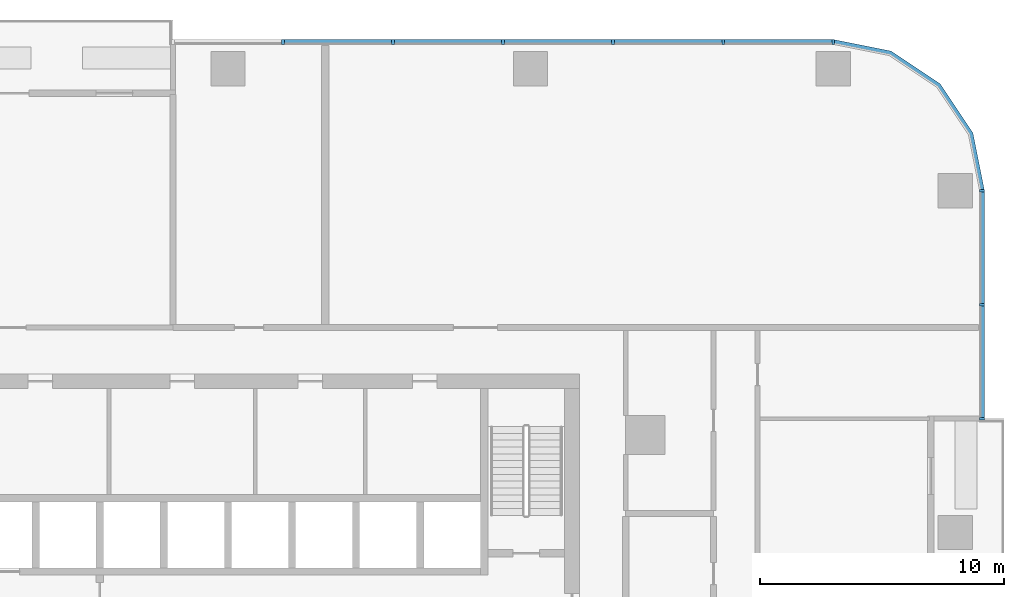
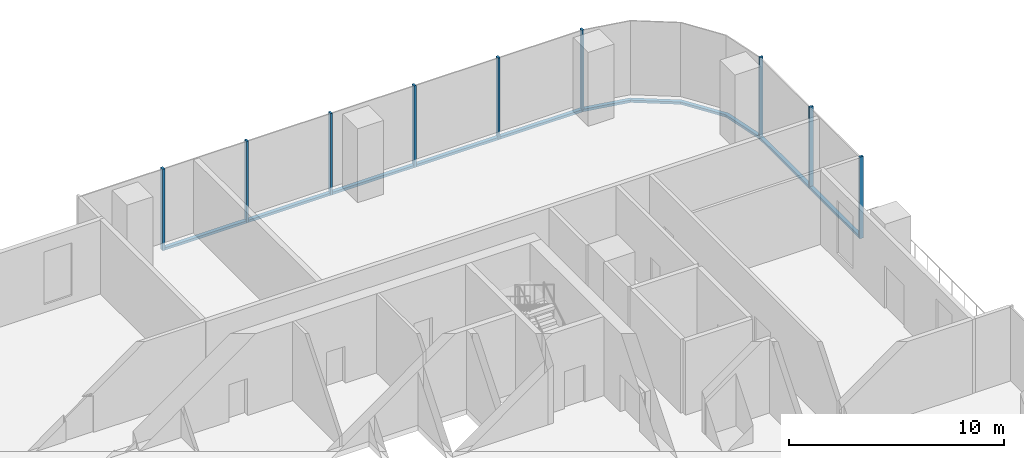
# One storey, part 5 of 15: 17 members, 3 elements without a shape of their own.
"""IFC4 building model written with IfcOpenShell, lengths in metres."""

from ifc_helpers import new_model, si_unit, direction, frame, origin, origin_2d, place, context, subcontext, project, spatial, polyline, rectangle, outline, extrude, material, material_profile, profile_set, type_object, element, aggregate, save


model = new_model("IFC4")

# Units and contexts
model_context = context("Model", 3, precision=1e-05, world=origin(), true_north=direction((0.0, 1.0)))
body_context = subcontext(model_context, "Body", "Model", "MODEL_VIEW")
ifc_project = project(units=[si_unit("LENGTHUNIT", "METRE"), si_unit("AREAUNIT", "SQUARE_METRE"), si_unit("VOLUMEUNIT", "CUBIC_METRE"), si_unit("PLANEANGLEUNIT", "RADIAN"), si_unit("MASSUNIT", "GRAM", prefix="KILO")], contexts=[model_context])

# Site, building, storey
site_placement = place(None, origin())
site = spatial("IfcSite", under=ifc_project, at=site_placement, CompositionType="ELEMENT")
building_placement = place(site_placement, origin())
building = spatial("IfcBuilding", under=site, at=building_placement, Name="Mopane Tessera Tower", CompositionType="ELEMENT")
storey_placement = place(building_placement, frame((0.0, 0.0, 83.800048828125)))
storey = spatial("IfcBuildingStorey", under=building, at=storey_placement, Name="L16", CompositionType="ELEMENT", Elevation=83.800048828125)

# Curtain wall, members
ifc_material_1 = material(Name="Aluminium frame", Category="aluminium")
curtain_wall_type = type_object("IfcCurtainWallType", Name="Lower tower unitised wall", PredefinedType="NOTDEFINED", material=ifc_material_1)
curtain_wall_1_placement = place(storey_placement, origin())
curtain_wall_1 = element("IfcCurtainWall", 1, at=curtain_wall_1_placement, inside=storey, type_object=curtain_wall_type, Name="e:cw:L16:E:7", PredefinedType="NOTDEFINED")
ifc_material_2 = material(Name="Aluminium frame", Category="aluminium")
ifc_material_profile_1 = material_profile(ifc_material_2, rectangle(XDim=0.110107421875, YDim=0.199951171875, at=origin_2d()))
ifc_profile_set_1 = profile_set([ifc_material_profile_1], Name="Aluminium frame")
member_type_1 = type_object("IfcMemberType", Name="Aluminium mullion 110 x 200", PredefinedType="MULLION", material=ifc_profile_set_1)
member_1_placement = place(storey_placement, frame((30.89990234375, 11.666748046875, -0.449951171875), z_axis=(0.0, 0.0, 1.0), x_axis=(0.0, 1.0, 0.0)))
member_1 = element("IfcMember", 2, at=member_1_placement, type_object=member_type_1, Name="e:cw:L16:E:7:mu7", PredefinedType="MULLION", context=body_context, shape_type="SweptSolid", body=[
    extrude(rectangle(XDim=0.110107421875, YDim=0.199951171875, at=origin_2d()), origin(), (0.0, 0.0, 1.0), 4.64990234375),
])
member_2_placement = place(storey_placement, frame((30.89990234375, 16.333251953125, -0.449951171875), z_axis=(0.0, 0.0, 1.0), x_axis=(0.0, 1.0, 0.0)))
member_2 = element("IfcMember", 3, at=member_2_placement, type_object=member_type_1, Name="e:cw:L16:E:7:mu8", PredefinedType="MULLION", context=body_context, shape_type="SweptSolid", body=[
    extrude(rectangle(XDim=0.110107421875, YDim=0.199951171875, at=origin_2d()), origin(), (0.0, 0.0, 1.0), 4.64990234375),
])
member_3_placement = place(storey_placement, frame((30.89990234375, 21.0, -0.449951171875), z_axis=(0.0, 0.0, 1.0), x_axis=(0.0, 1.0, 0.0)))
member_3 = element("IfcMember", 4, at=member_3_placement, type_object=member_type_1, Name="e:cw:L16:E:7:mu9", PredefinedType="MULLION", context=body_context, shape_type="SweptSolid", body=[
    extrude(rectangle(XDim=0.110107421875, YDim=0.199951171875, at=origin_2d()), origin(), (0.0, 0.0, 1.0), 4.64990234375),
])

curtain_wall_2_placement = place(storey_placement, origin())
curtain_wall_2 = element("IfcCurtainWall", 5, at=curtain_wall_2_placement, inside=storey, type_object=curtain_wall_type, Name="e:cw:L16:N:0", PredefinedType="NOTDEFINED")
member_4_placement = place(storey_placement, frame((24.800048828125, 27.10009765625, -0.449951171875), z_axis=(0.0, 0.0, 1.0), x_axis=(-1.0, 0.0, 0.0)))
member_4 = element("IfcMember", 6, at=member_4_placement, type_object=member_type_1, Name="e:cw:L16:N:0:mu0", PredefinedType="MULLION", context=body_context, shape_type="SweptSolid", body=[
    extrude(rectangle(XDim=0.110107421875, YDim=0.199951171875, at=origin_2d()), origin(), (0.0, 0.0, 1.0), 4.64990234375),
])
member_5_placement = place(storey_placement, frame((20.291015625, 27.10009765625, -0.449951171875), z_axis=(0.0, 0.0, 1.0), x_axis=(-1.0, 0.0, 0.0)))
member_5 = element("IfcMember", 7, at=member_5_placement, type_object=member_type_1, Name="e:cw:L16:N:0:mu1", PredefinedType="MULLION", context=body_context, shape_type="SweptSolid", body=[
    extrude(rectangle(XDim=0.110107421875, YDim=0.199951171875, at=origin_2d()), origin(), (0.0, 0.0, 1.0), 4.64990234375),
])
member_6_placement = place(storey_placement, frame((15.78173828125, 27.10009765625, -0.449951171875), z_axis=(0.0, 0.0, 1.0), x_axis=(-1.0, 0.0, 0.0)))
member_6 = element("IfcMember", 8, at=member_6_placement, type_object=member_type_1, Name="e:cw:L16:N:0:mu2", PredefinedType="MULLION", context=body_context, shape_type="SweptSolid", body=[
    extrude(rectangle(XDim=0.110107421875, YDim=0.199951171875, at=origin_2d()), origin(), (0.0, 0.0, 1.0), 4.64990234375),
])
member_7_placement = place(storey_placement, frame((11.272705078125, 27.10009765625, -0.449951171875), z_axis=(0.0, 0.0, 1.0), x_axis=(-1.0, 0.0, 0.0)))
member_7 = element("IfcMember", 9, at=member_7_placement, type_object=member_type_1, Name="e:cw:L16:N:0:mu3", PredefinedType="MULLION", context=body_context, shape_type="SweptSolid", body=[
    extrude(rectangle(XDim=0.110107421875, YDim=0.199951171875, at=origin_2d()), origin(), (0.0, 0.0, 1.0), 4.64990234375),
])
member_8_placement = place(storey_placement, frame((6.763671875, 27.10009765625, -0.449951171875), z_axis=(0.0, 0.0, 1.0), x_axis=(-1.0, 0.0, 0.0)))
member_8 = element("IfcMember", 10, at=member_8_placement, type_object=member_type_1, Name="e:cw:L16:N:0:mu4", PredefinedType="MULLION", context=body_context, shape_type="SweptSolid", body=[
    extrude(rectangle(XDim=0.110107421875, YDim=0.199951171875, at=origin_2d()), origin(), (0.0, 0.0, 1.0), 4.64990234375),
])
member_9_placement = place(storey_placement, frame((2.254638671875, 27.10009765625, -0.449951171875), z_axis=(0.0, 0.0, 1.0), x_axis=(-1.0, 0.0, 0.0)))
member_9 = element("IfcMember", 11, at=member_9_placement, type_object=member_type_1, Name="e:cw:L16:N:0:mu5", PredefinedType="MULLION", context=body_context, shape_type="SweptSolid", body=[
    extrude(rectangle(XDim=0.110107421875, YDim=0.199951171875, at=origin_2d()), origin(), (0.0, 0.0, 1.0), 4.64990234375),
])

# Member
ifc_material_3 = material(Name="Aluminium frame", Category="aluminium")
ifc_material_profile_2 = material_profile(ifc_material_3, rectangle(XDim=0.199951171875, YDim=0.139892578125, at=origin_2d()))
ifc_profile_set_2 = profile_set([ifc_material_profile_2], Name="Aluminium frame")
member_type_2 = type_object("IfcMemberType", Name="Aluminium transom 200 x 140", PredefinedType="USERDEFINED", material=ifc_profile_set_2)
member_10_placement = place(storey_placement, frame((30.89990234375, 11.7216796875, -0.380126953125), z_axis=(0.0, 1.0, 0.0), x_axis=(-1.0, 0.0, 0.0)))
member_10 = element("IfcMember", 12, at=member_10_placement, type_object=member_type_2, Name="e:cw:L16:E:7:tr7", ObjectType="TRANSOM", PredefinedType="USERDEFINED", context=body_context, shape_type="SweptSolid", body=[
    extrude(rectangle(XDim=0.199951171875, YDim=0.139892578125, at=origin_2d()), origin(), (0.0, 0.0, 1.0), 4.556640625),
])

member_11_placement = place(storey_placement, frame((30.89990234375, 16.388427734375, -0.380126953125), z_axis=(0.0, 1.0, 0.0), x_axis=(-1.0, 0.0, 0.0)))
member_11 = element("IfcMember", 13, at=member_11_placement, type_object=member_type_2, Name="e:cw:L16:E:7:tr8", ObjectType="TRANSOM", PredefinedType="USERDEFINED", context=body_context, shape_type="SweptSolid", body=[
    extrude(rectangle(XDim=0.199951171875, YDim=0.139892578125, at=origin_2d()), origin(), (0.0, 0.0, 1.0), 4.556640625),
])

aggregate(curtain_wall_1, [member_1, member_2, member_3, member_10, member_11])

# Curtain wall, member
curtain_wall_3_placement = place(storey_placement, origin())
curtain_wall_3 = element("IfcCurtainWall", 14, at=curtain_wall_3_placement, inside=storey, type_object=curtain_wall_type, Name="e:cw:L16:CE", PredefinedType="NOTDEFINED")
member_12_placement = place(storey_placement, frame((0.0, 0.0, -0.449951171875)))
member_12 = element("IfcMember", 15, at=member_12_placement, type_object=member_type_2, Name="e:cw:L16:CE:tr", ObjectType="TRANSOM", PredefinedType="USERDEFINED", context=body_context, shape_type="SweptSolid", body=[
    extrude(outline(polyline([(30.800048828125, 21.0), (30.34326171875, 23.296142578125), (29.042724609375, 25.24267578125), (27.09619140625, 26.543212890625), (24.800048828125, 27.0), (24.800048828125, 27.199951171875), (27.172607421875, 26.72802734375), (29.18408203125, 25.384033203125), (30.528076171875, 23.37255859375), (31.0, 21.0), (30.800048828125, 21.0)])), origin(), (0.0, 0.0, 1.0), 0.139892578125),
])
aggregate(curtain_wall_3, [member_12])

# Member
member_13_placement = place(storey_placement, frame((24.7451171875, 27.10009765625, -0.380126953125), z_axis=(-1.0, 0.0, 0.0), x_axis=(0.0, -1.0, 0.0)))
member_13 = element("IfcMember", 16, at=member_13_placement, type_object=member_type_2, Name="e:cw:L16:N:0:tr0", ObjectType="TRANSOM", PredefinedType="USERDEFINED", context=body_context, shape_type="SweptSolid", body=[
    extrude(rectangle(XDim=0.199951171875, YDim=0.139892578125, at=origin_2d()), origin(), (0.0, 0.0, 1.0), 4.399169921875),
])

member_14_placement = place(storey_placement, frame((20.23583984375, 27.10009765625, -0.380126953125), z_axis=(-1.0, 0.0, 0.0), x_axis=(0.0, -1.0, 0.0)))
member_14 = element("IfcMember", 17, at=member_14_placement, type_object=member_type_2, Name="e:cw:L16:N:0:tr1", ObjectType="TRANSOM", PredefinedType="USERDEFINED", context=body_context, shape_type="SweptSolid", body=[
    extrude(rectangle(XDim=0.199951171875, YDim=0.139892578125, at=origin_2d()), origin(), (0.0, 0.0, 1.0), 4.39892578125),
])

member_15_placement = place(storey_placement, frame((15.726806640625, 27.10009765625, -0.380126953125), z_axis=(-1.0, 0.0, 0.0), x_axis=(0.0, -1.0, 0.0)))
member_15 = element("IfcMember", 18, at=member_15_placement, type_object=member_type_2, Name="e:cw:L16:N:0:tr2", ObjectType="TRANSOM", PredefinedType="USERDEFINED", context=body_context, shape_type="SweptSolid", body=[
    extrude(rectangle(XDim=0.199951171875, YDim=0.139892578125, at=origin_2d()), origin(), (0.0, 0.0, 1.0), 4.399169921875),
])

member_16_placement = place(storey_placement, frame((11.2177734375, 27.10009765625, -0.380126953125), z_axis=(-1.0, 0.0, 0.0), x_axis=(0.0, -1.0, 0.0)))
member_16 = element("IfcMember", 19, at=member_16_placement, type_object=member_type_2, Name="e:cw:L16:N:0:tr3", ObjectType="TRANSOM", PredefinedType="USERDEFINED", context=body_context, shape_type="SweptSolid", body=[
    extrude(rectangle(XDim=0.199951171875, YDim=0.139892578125, at=origin_2d()), origin(), (0.0, 0.0, 1.0), 4.399169921875),
])

member_17_placement = place(storey_placement, frame((6.708740234375, 27.10009765625, -0.380126953125), z_axis=(-1.0, 0.0, 0.0), x_axis=(0.0, -1.0, 0.0)))
member_17 = element("IfcMember", 20, at=member_17_placement, type_object=member_type_2, Name="e:cw:L16:N:0:tr4", ObjectType="TRANSOM", PredefinedType="USERDEFINED", context=body_context, shape_type="SweptSolid", body=[
    extrude(rectangle(XDim=0.199951171875, YDim=0.139892578125, at=origin_2d()), origin(), (0.0, 0.0, 1.0), 4.399169921875),
])

aggregate(curtain_wall_2, [member_4, member_5, member_6, member_7, member_8, member_9, member_13, member_14, member_15, member_16, member_17])

save(model, "model.ifc")
